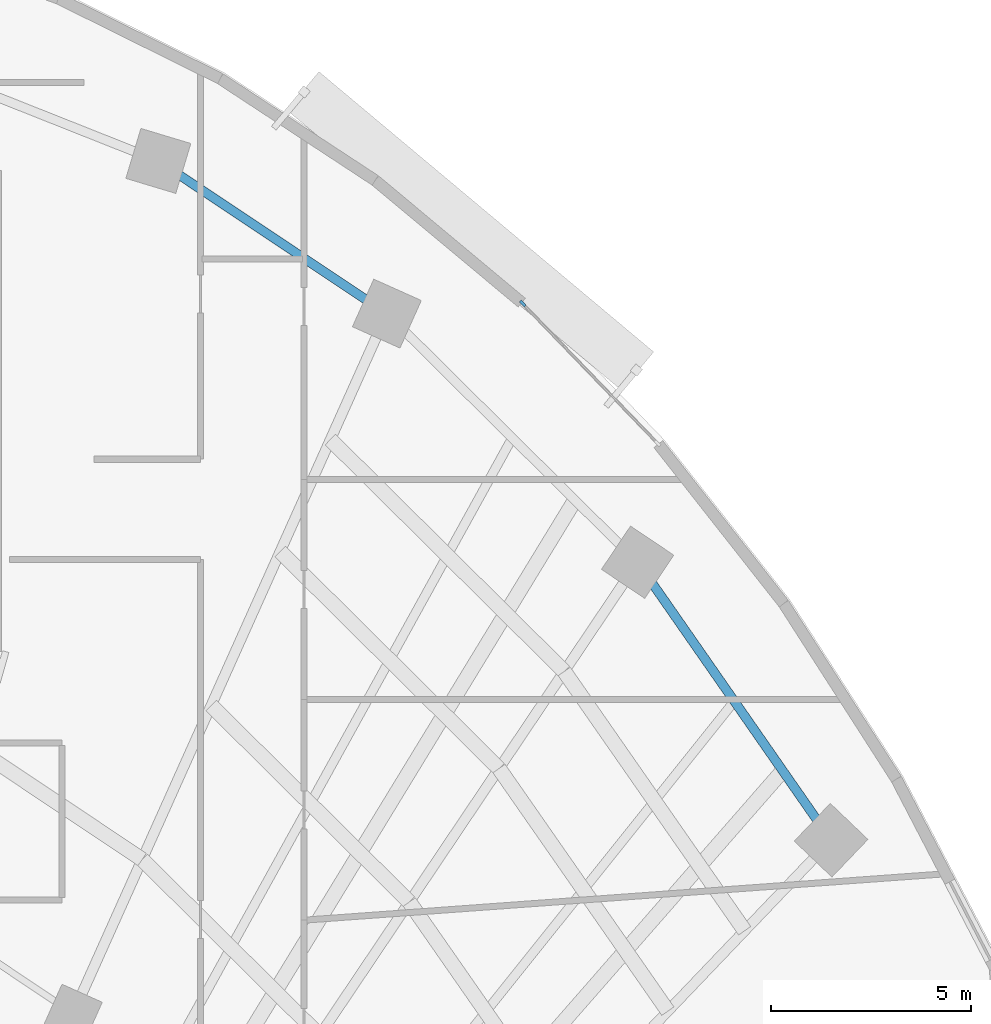
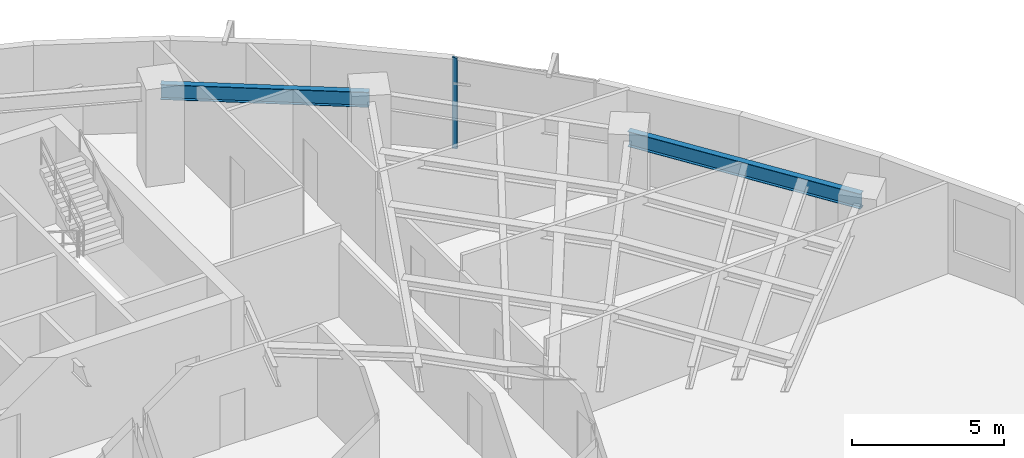
# One storey, part 6 of 14: 2 beams, 1 member, 1 element without a shape of its own.
"""IFC4 building model written with IfcOpenShell, lengths in metres."""

from ifc_helpers import new_model, si_unit, direction, frame, origin, origin_2d, place, context, subcontext, project, spatial, rectangle, i_section, extrude, source, transform, mapped, material, layer, layer_set, material_profile, profile_set, type_object, element, aggregate, save


model = new_model("IFC4")

# Units and contexts
model_context = context("Model", 3, precision=1e-05, world=origin(), true_north=direction((0.0, 1.0)))
body_context = subcontext(model_context, "Body", "Model", "MODEL_VIEW")
ifc_project = project(units=[si_unit("LENGTHUNIT", "METRE"), si_unit("AREAUNIT", "SQUARE_METRE"), si_unit("VOLUMEUNIT", "CUBIC_METRE"), si_unit("PLANEANGLEUNIT", "RADIAN"), si_unit("MASSUNIT", "GRAM", prefix="KILO")], contexts=[model_context])

# Site, building, storey
site_placement = place(None, origin())
site = spatial("IfcSite", under=ifc_project, at=site_placement, CompositionType="ELEMENT")
building_placement = place(site_placement, origin())
building = spatial("IfcBuilding", under=site, at=building_placement, Name="Breltana Convention Tower", CompositionType="ELEMENT")
storey_placement = place(building_placement, frame((0.0, 0.0, 99.89990234375)))
storey = spatial("IfcBuildingStorey", under=building, at=storey_placement, Name="L23", CompositionType="ELEMENT", Elevation=99.89990234375)

# Beams
ifc_material_1 = material(Name="Steel ASTM A992 Grade 50", Category="steel")
ifc_material_profile_1 = material_profile(ifc_material_1, i_section(OverallWidth=0.22802734375, OverallDepth=0.60791015625, WebThickness=0.01123046875, FlangeThickness=0.017333984375, at=origin_2d()), Name="W24X76")
ifc_profile_set_1 = profile_set([ifc_material_profile_1], Name="Steel ASTM A992 Grade 50")
beam_type = type_object("IfcBeamType", Name="BM-SP-W24X76", PredefinedType="SPANDREL", material=ifc_profile_set_1)
shared_shape_1 = source(origin(), body_context, "Body", "SweptSolid", [
    extrude(i_section(OverallWidth=0.22802734375, OverallDepth=0.60791015625, WebThickness=0.01123046875, FlangeThickness=0.017333984375, at=origin_2d()), origin(), (0.0, 0.0, 1.0), 6.856689453125),
])
beam_1_placement = place(storey_placement, frame((63.208984375, 72.4423828125, 3.34619140625), z_axis=(0.83150210718, -0.55552159792, 0.0), x_axis=(0.55552159792, 0.83150210718, 0.0)))
element("IfcBeam", 1, at=beam_1_placement, inside=storey, type_object=beam_type, Name="L23 Outer Spandrel Beam 08", PredefinedType="SPANDREL", context=body_context, shape_type="MappedRepresentation", body=[
    mapped(shared_shape_1, transform((0.0, 0.0, 0.0), scale=1.0)),
])
shared_shape_2 = source(origin(), body_context, "Body", "SweptSolid", [
    extrude(i_section(OverallWidth=0.22802734375, OverallDepth=0.60791015625, WebThickness=0.01123046875, FlangeThickness=0.017333984375, at=origin_2d()), origin(), (0.0, 0.0, 1.0), 8.44970703125),
])
beam_2_placement = place(storey_placement, frame((75.166748046875, 62.43017578125, 3.34619140625), z_axis=(0.5711855381, -0.820820979913, 0.0), x_axis=(0.820820979913, 0.5711855381, 0.0)))
element("IfcBeam", 2, at=beam_2_placement, inside=storey, type_object=beam_type, Name="L23 Outer Spandrel Beam 10", PredefinedType="SPANDREL", context=body_context, shape_type="MappedRepresentation", body=[
    mapped(shared_shape_2, transform((0.0, 0.0, 0.0), scale=1.0)),
])

# Curtain wall, member
ifc_material_2 = material(Name="Aluminium Anodised Bronze Frame", Category="aluminium")
ifc_layer = layer(ifc_material_2, 0.22998046875, Name="Aluminium Anodised Bronze Frame")
ifc_layer_set = layer_set([ifc_layer], Name="Aluminium Anodised Bronze Frame")
curtain_wall_type = type_object("IfcCurtainWallType", Name="CW-SYS-5", PredefinedType="NOTDEFINED", material=ifc_layer_set)
curtain_wall_placement = place(storey_placement, origin())
curtain_wall = element("IfcCurtainWall", 3, at=curtain_wall_placement, inside=storey, type_object=curtain_wall_type, Name="L23 outer double-skin inner glazing 4", PredefinedType="NOTDEFINED")
ifc_material_3 = material(Name="Aluminium Anodised Bronze", Category="aluminium")
ifc_material_profile_2 = material_profile(ifc_material_3, rectangle(XDim=0.070068359375, YDim=0.175048828125, at=origin_2d()), Name="CWM-70X175")
ifc_profile_set_2 = profile_set([ifc_material_profile_2], Name="Aluminium Anodised Bronze")
member_type = type_object("IfcMemberType", Name="CWM-175", PredefinedType="MULLION", material=ifc_profile_set_2)
shared_shape_3 = source(origin(), body_context, "Body", "SweptSolid", [
    extrude(rectangle(XDim=0.070068359375, YDim=0.175048828125, at=origin_2d()), origin(), (0.0, 0.0, 1.0), 3.650146484375),
])
member_placement = place(storey_placement, frame((72.299560546875, 68.88232421875, 0.0), z_axis=(0.0, 0.0, 1.0), x_axis=(0.719384961558, 0.694611601605, 0.0)))
member = element("IfcMember", 4, at=member_placement, type_object=member_type, Name="CW-05 mullion 1", PredefinedType="MULLION", context=body_context, shape_type="MappedRepresentation", body=[
    mapped(shared_shape_3, transform((0.0, 0.0, 0.0), scale=1.0)),
])
aggregate(curtain_wall, [member])

save(model, "model.ifc")
